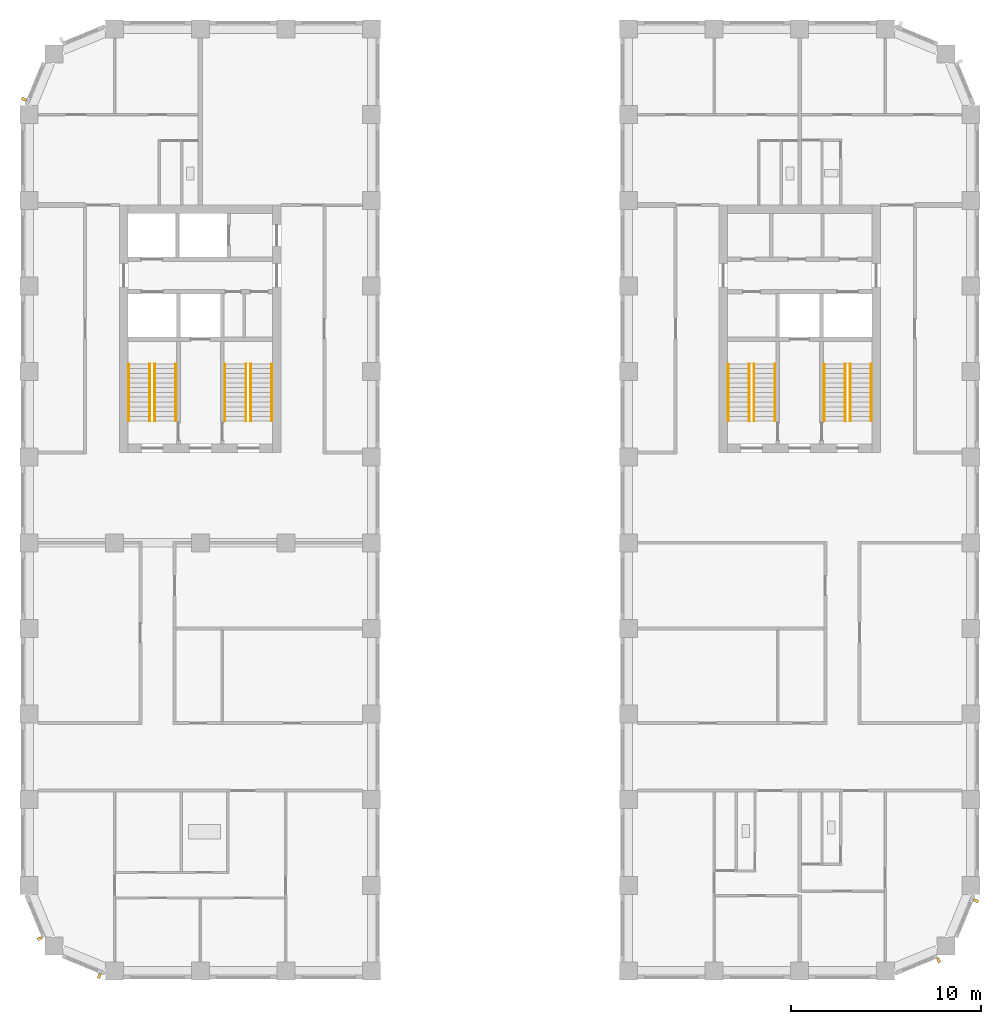
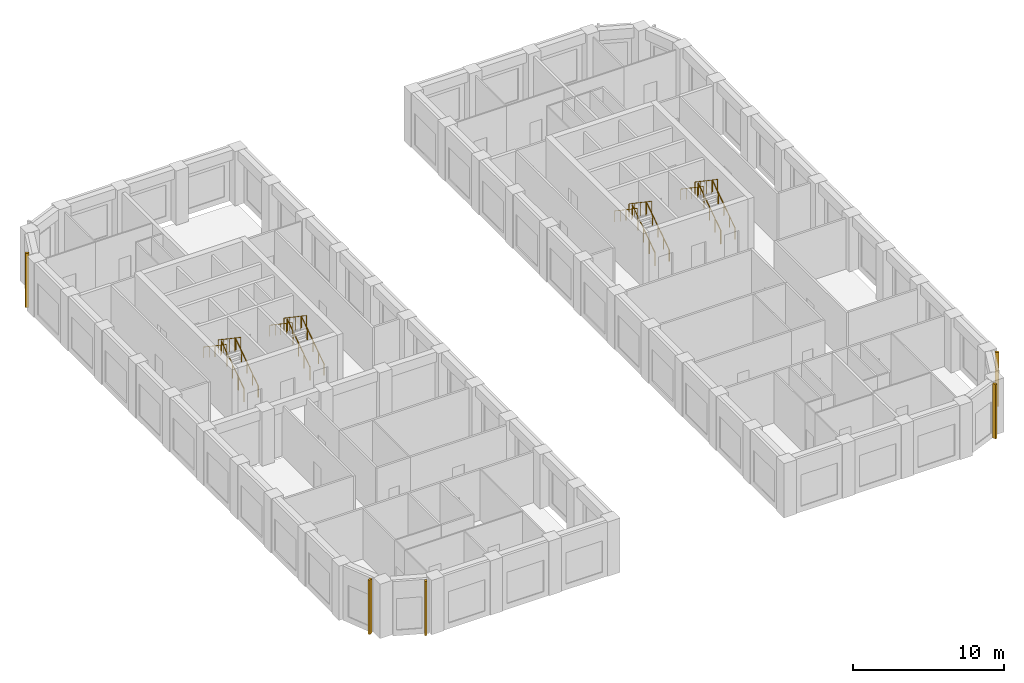
# One storey, part 10 of 12: 16 railings, 5 shading devices.
"""IFC4 building model written with IfcOpenShell, lengths in metres."""

from ifc_helpers import new_model, si_unit, direction, frame, origin, origin_2d, place, context, subcontext, project, spatial, rectangle, circle, extrude, material, type_object, element, save


model = new_model("IFC4")

# Units and contexts
model_context = context("Model", 3, precision=1e-05, world=origin(), true_north=direction((0.0, 1.0)))
body_context = subcontext(model_context, "Body", "Model", "MODEL_VIEW")
ifc_project = project(units=[si_unit("LENGTHUNIT", "METRE"), si_unit("AREAUNIT", "SQUARE_METRE"), si_unit("VOLUMEUNIT", "CUBIC_METRE"), si_unit("PLANEANGLEUNIT", "RADIAN"), si_unit("MASSUNIT", "GRAM", prefix="KILO")], contexts=[model_context])

# Site, building, storey
site_placement = place(None, origin())
site = spatial("IfcSite", under=ifc_project, at=site_placement, CompositionType="ELEMENT")
building_placement = place(site_placement, origin())
building = spatial("IfcBuilding", under=site, at=building_placement, Name="Girih Gate Residences", CompositionType="ELEMENT")
storey_placement = place(building_placement, frame((0.0, 0.0, 155.0)))
storey = spatial("IfcBuildingStorey", under=building, at=storey_placement, Name="L43", CompositionType="ELEMENT", Elevation=155.0)

# Shading devices
ifc_material_1 = material(Name="Precast concrete C50/60", Category="concrete")
shading_device_type = type_object("IfcShadingDeviceType", Name="Corner rib 150x250", PredefinedType="USERDEFINED", material=ifc_material_1)
for number, where, z_axis, x_axis, name in (
    (1, (-0.260498046875, 45.808349609375, 0.0), (0.0, 0.0, 1.0), (-0.382683432365, -0.923879532511, 0.0), "Corner rib NW0013_0482.0"),
    (2, (0.562255859375, 1.705322265625, 0.0), (0.0, 0.0, 1.0), (0.382683432365, -0.923879532511, 0.0), "Corner rib SW0000_0045.0"),
    (3, (3.691650390625, -0.260498046875, 0.0), (0.0, 0.0, 1.0), (0.923879532511, -0.382683432365, 0.0), "Corner rib SW0013_0013.0"),
    (4, (47.794677734375, 0.562255859375, 0.0), (0.0, 0.0, 1.0), (0.923879532511, 0.382683432365, 0.0), "Corner rib SE0450_0000.0"),
    (5, (49.760498046875, 3.691650390625, 0.0), (0.0, 0.0, 1.0), (0.382683432365, 0.923879532511, 0.0), "Corner rib SE0482_0013.0"),
):
    element("IfcShadingDevice", number, at=place(storey_placement, frame(where, z_axis=z_axis, x_axis=x_axis)), inside=storey, type_object=shading_device_type, Name=name, ObjectType="FIN", PredefinedType="USERDEFINED", context=body_context, shape_type="SweptSolid", body=[
        extrude(rectangle(XDim=0.14990234375, YDim=0.25, at=origin_2d()), origin(), (0.0, 0.0, 1.0), 4.39990234375),
    ])

# Railings
ifc_material_2 = material(Name="Stainless steel", Category="steel")
railing_type_1 = type_object("IfcRailingType", Name="Stair guard 1100", PredefinedType="GUARDRAIL", material=ifc_material_2)
railing_1_placement = place(storey_placement, frame((6.60009765625, 28.89990234375, 0.169189453125)))
element("IfcRailing", 6, at=railing_1_placement, inside=storey, type_object=railing_type_1, Name="L43 ST-W1 stair guard 1", PredefinedType="GUARDRAIL", context=body_context, shape_type="SweptSolid", body=[
    extrude(circle(Radius=0.02392578125, at=origin_2d()), frame((0.0, 0.0, 1.076171875), z_axis=(0.0, 0.828110434718, 0.560564989908), x_axis=(-1.0, 0.0, 0.0)), (0.0, 0.0, 1.0), 3.622802734375),
    extrude(circle(Radius=0.02099609375, at=origin_2d()), origin(), (0.0, 0.0, 1.0), 1.052001953125),
    extrude(circle(Radius=0.02099609375, at=origin_2d()), frame((0.0, 0.75, 0.5078125)), (0.0, 0.0, 1.0), 1.052001953125),
    extrude(circle(Radius=0.02099609375, at=origin_2d()), frame((0.0, 1.5, 1.015380859375)), (0.0, 0.0, 1.0), 1.052001953125),
    extrude(circle(Radius=0.02099609375, at=origin_2d()), frame((0.0, 2.25, 1.52294921875)), (0.0, 0.0, 1.0), 1.052001953125),
    extrude(circle(Radius=0.02099609375, at=origin_2d()), frame((0.0, 3.0, 2.03076171875)), (0.0, 0.0, 1.0), 1.052001953125),
])
railing_2_placement = place(storey_placement, frame((6.35009765625, 31.89990234375, 2.369140625)))
element("IfcRailing", 7, at=railing_2_placement, inside=storey, type_object=railing_type_1, Name="L43 ST-W1 stair guard 2", PredefinedType="GUARDRAIL", context=body_context, shape_type="SweptSolid", body=[
    extrude(circle(Radius=0.02392578125, at=origin_2d()), frame((0.0, 0.0, 1.076171875), z_axis=(0.0, -0.828110434718, 0.560564989908), x_axis=(1.0, 0.0, 0.0)), (0.0, 0.0, 1.0), 3.622802734375),
    extrude(circle(Radius=0.02099609375, at=origin_2d()), origin(), (0.0, 0.0, 1.0), 1.052001953125),
    extrude(circle(Radius=0.02099609375, at=origin_2d()), frame((0.0, -0.75, 0.5078125)), (0.0, 0.0, 1.0), 1.052001953125),
    extrude(circle(Radius=0.02099609375, at=origin_2d()), frame((0.0, -1.5, 1.015380859375)), (0.0, 0.0, 1.0), 1.052001953125),
    extrude(circle(Radius=0.02099609375, at=origin_2d()), frame((0.0, -2.25, 1.52294921875)), (0.0, 0.0, 1.0), 1.052001953125),
    extrude(circle(Radius=0.02099609375, at=origin_2d()), frame((0.0, -3.0, 2.03076171875)), (0.0, 0.0, 1.0), 1.052001953125),
])
railing_3_placement = place(storey_placement, frame((11.64990234375, 28.89990234375, 0.169189453125)))
element("IfcRailing", 8, at=railing_3_placement, inside=storey, type_object=railing_type_1, Name="L43 ST-W2 stair guard 1", PredefinedType="GUARDRAIL", context=body_context, shape_type="SweptSolid", body=[
    extrude(circle(Radius=0.02392578125, at=origin_2d()), frame((0.0, 0.0, 1.076171875), z_axis=(0.0, 0.828110434718, 0.560564989908), x_axis=(-1.0, 0.0, 0.0)), (0.0, 0.0, 1.0), 3.622802734375),
    extrude(circle(Radius=0.02099609375, at=origin_2d()), origin(), (0.0, 0.0, 1.0), 1.052001953125),
    extrude(circle(Radius=0.02099609375, at=origin_2d()), frame((0.0, 0.75, 0.5078125)), (0.0, 0.0, 1.0), 1.052001953125),
    extrude(circle(Radius=0.02099609375, at=origin_2d()), frame((0.0, 1.5, 1.015380859375)), (0.0, 0.0, 1.0), 1.052001953125),
    extrude(circle(Radius=0.02099609375, at=origin_2d()), frame((0.0, 2.25, 1.52294921875)), (0.0, 0.0, 1.0), 1.052001953125),
    extrude(circle(Radius=0.02099609375, at=origin_2d()), frame((0.0, 3.0, 2.03076171875)), (0.0, 0.0, 1.0), 1.052001953125),
])
railing_4_placement = place(storey_placement, frame((11.39990234375, 31.89990234375, 2.369140625)))
element("IfcRailing", 9, at=railing_4_placement, inside=storey, type_object=railing_type_1, Name="L43 ST-W2 stair guard 2", PredefinedType="GUARDRAIL", context=body_context, shape_type="SweptSolid", body=[
    extrude(circle(Radius=0.02392578125, at=origin_2d()), frame((0.0, 0.0, 1.076171875), z_axis=(0.0, -0.828110434718, 0.560564989908), x_axis=(1.0, 0.0, 0.0)), (0.0, 0.0, 1.0), 3.622802734375),
    extrude(circle(Radius=0.02099609375, at=origin_2d()), origin(), (0.0, 0.0, 1.0), 1.052001953125),
    extrude(circle(Radius=0.02099609375, at=origin_2d()), frame((0.0, -0.75, 0.5078125)), (0.0, 0.0, 1.0), 1.052001953125),
    extrude(circle(Radius=0.02099609375, at=origin_2d()), frame((0.0, -1.5, 1.015380859375)), (0.0, 0.0, 1.0), 1.052001953125),
    extrude(circle(Radius=0.02099609375, at=origin_2d()), frame((0.0, -2.25, 1.52294921875)), (0.0, 0.0, 1.0), 1.052001953125),
    extrude(circle(Radius=0.02099609375, at=origin_2d()), frame((0.0, -3.0, 2.03076171875)), (0.0, 0.0, 1.0), 1.052001953125),
])
railing_5_placement = place(storey_placement, frame((43.14990234375, 28.89990234375, 0.169189453125)))
element("IfcRailing", 10, at=railing_5_placement, inside=storey, type_object=railing_type_1, Name="L43 ST-E1 stair guard 1", PredefinedType="GUARDRAIL", context=body_context, shape_type="SweptSolid", body=[
    extrude(circle(Radius=0.02392578125, at=origin_2d()), frame((0.0, 0.0, 1.076171875), z_axis=(0.0, 0.828110434718, 0.560564989908), x_axis=(-1.0, 0.0, 0.0)), (0.0, 0.0, 1.0), 3.622802734375),
    extrude(circle(Radius=0.02099609375, at=origin_2d()), origin(), (0.0, 0.0, 1.0), 1.052001953125),
    extrude(circle(Radius=0.02099609375, at=origin_2d()), frame((0.0, 0.75, 0.5078125)), (0.0, 0.0, 1.0), 1.052001953125),
    extrude(circle(Radius=0.02099609375, at=origin_2d()), frame((0.0, 1.5, 1.015380859375)), (0.0, 0.0, 1.0), 1.052001953125),
    extrude(circle(Radius=0.02099609375, at=origin_2d()), frame((0.0, 2.25, 1.52294921875)), (0.0, 0.0, 1.0), 1.052001953125),
    extrude(circle(Radius=0.02099609375, at=origin_2d()), frame((0.0, 3.0, 2.03076171875)), (0.0, 0.0, 1.0), 1.052001953125),
])
railing_6_placement = place(storey_placement, frame((42.89990234375, 31.89990234375, 2.369140625)))
element("IfcRailing", 11, at=railing_6_placement, inside=storey, type_object=railing_type_1, Name="L43 ST-E1 stair guard 2", PredefinedType="GUARDRAIL", context=body_context, shape_type="SweptSolid", body=[
    extrude(circle(Radius=0.02392578125, at=origin_2d()), frame((0.0, 0.0, 1.076171875), z_axis=(0.0, -0.828110434718, 0.560564989908), x_axis=(1.0, 0.0, 0.0)), (0.0, 0.0, 1.0), 3.622802734375),
    extrude(circle(Radius=0.02099609375, at=origin_2d()), origin(), (0.0, 0.0, 1.0), 1.052001953125),
    extrude(circle(Radius=0.02099609375, at=origin_2d()), frame((0.0, -0.75, 0.5078125)), (0.0, 0.0, 1.0), 1.052001953125),
    extrude(circle(Radius=0.02099609375, at=origin_2d()), frame((0.0, -1.5, 1.015380859375)), (0.0, 0.0, 1.0), 1.052001953125),
    extrude(circle(Radius=0.02099609375, at=origin_2d()), frame((0.0, -2.25, 1.52294921875)), (0.0, 0.0, 1.0), 1.052001953125),
    extrude(circle(Radius=0.02099609375, at=origin_2d()), frame((0.0, -3.0, 2.03076171875)), (0.0, 0.0, 1.0), 1.052001953125),
])
railing_7_placement = place(storey_placement, frame((38.10009765625, 28.89990234375, 0.169189453125)))
element("IfcRailing", 12, at=railing_7_placement, inside=storey, type_object=railing_type_1, Name="L43 ST-E2 stair guard 1", PredefinedType="GUARDRAIL", context=body_context, shape_type="SweptSolid", body=[
    extrude(circle(Radius=0.02392578125, at=origin_2d()), frame((0.0, 0.0, 1.076171875), z_axis=(0.0, 0.828110434718, 0.560564989908), x_axis=(-1.0, 0.0, 0.0)), (0.0, 0.0, 1.0), 3.622802734375),
    extrude(circle(Radius=0.02099609375, at=origin_2d()), origin(), (0.0, 0.0, 1.0), 1.052001953125),
    extrude(circle(Radius=0.02099609375, at=origin_2d()), frame((0.0, 0.75, 0.5078125)), (0.0, 0.0, 1.0), 1.052001953125),
    extrude(circle(Radius=0.02099609375, at=origin_2d()), frame((0.0, 1.5, 1.015380859375)), (0.0, 0.0, 1.0), 1.052001953125),
    extrude(circle(Radius=0.02099609375, at=origin_2d()), frame((0.0, 2.25, 1.52294921875)), (0.0, 0.0, 1.0), 1.052001953125),
    extrude(circle(Radius=0.02099609375, at=origin_2d()), frame((0.0, 3.0, 2.03076171875)), (0.0, 0.0, 1.0), 1.052001953125),
])
railing_8_placement = place(storey_placement, frame((37.85009765625, 31.89990234375, 2.369140625)))
element("IfcRailing", 13, at=railing_8_placement, inside=storey, type_object=railing_type_1, Name="L43 ST-E2 stair guard 2", PredefinedType="GUARDRAIL", context=body_context, shape_type="SweptSolid", body=[
    extrude(circle(Radius=0.02392578125, at=origin_2d()), frame((0.0, 0.0, 1.076171875), z_axis=(0.0, -0.828110434718, 0.560564989908), x_axis=(1.0, 0.0, 0.0)), (0.0, 0.0, 1.0), 3.622802734375),
    extrude(circle(Radius=0.02099609375, at=origin_2d()), origin(), (0.0, 0.0, 1.0), 1.052001953125),
    extrude(circle(Radius=0.02099609375, at=origin_2d()), frame((0.0, -0.75, 0.5078125)), (0.0, 0.0, 1.0), 1.052001953125),
    extrude(circle(Radius=0.02099609375, at=origin_2d()), frame((0.0, -1.5, 1.015380859375)), (0.0, 0.0, 1.0), 1.052001953125),
    extrude(circle(Radius=0.02099609375, at=origin_2d()), frame((0.0, -2.25, 1.52294921875)), (0.0, 0.0, 1.0), 1.052001953125),
    extrude(circle(Radius=0.02099609375, at=origin_2d()), frame((0.0, -3.0, 2.03076171875)), (0.0, 0.0, 1.0), 1.052001953125),
])
railing_type_2 = type_object("IfcRailingType", Name="Stair handrail 900", PredefinedType="HANDRAIL", material=ifc_material_2)
railing_9_placement = place(storey_placement, frame((7.699951171875, 28.89990234375, 0.169189453125)))
element("IfcRailing", 14, at=railing_9_placement, inside=storey, type_object=railing_type_2, Name="L43 ST-W1 stair handrail 1", PredefinedType="HANDRAIL", context=body_context, shape_type="SweptSolid", body=[
    extrude(circle(Radius=0.02392578125, at=origin_2d()), frame((0.0, 0.0, 0.8857421875), z_axis=(0.0, 0.828110434718, 0.560564989908), x_axis=(-1.0, 0.0, 0.0)), (0.0, 0.0, 1.0), 3.622802734375),
    extrude(circle(Radius=0.02099609375, at=origin_2d()), origin(), (0.0, 0.0, 1.0), 0.86181640625),
    extrude(circle(Radius=0.02099609375, at=origin_2d()), frame((0.0, 0.75, 0.5078125)), (0.0, 0.0, 1.0), 0.86181640625),
    extrude(circle(Radius=0.02099609375, at=origin_2d()), frame((0.0, 1.5, 1.015380859375)), (0.0, 0.0, 1.0), 0.86181640625),
    extrude(circle(Radius=0.02099609375, at=origin_2d()), frame((0.0, 2.25, 1.52294921875)), (0.0, 0.0, 1.0), 0.86181640625),
    extrude(circle(Radius=0.02099609375, at=origin_2d()), frame((0.0, 3.0, 2.03076171875)), (0.0, 0.0, 1.0), 0.86181640625),
])
railing_10_placement = place(storey_placement, frame((5.25, 31.89990234375, 2.369140625)))
element("IfcRailing", 15, at=railing_10_placement, inside=storey, type_object=railing_type_2, Name="L43 ST-W1 stair handrail 2", PredefinedType="HANDRAIL", context=body_context, shape_type="SweptSolid", body=[
    extrude(circle(Radius=0.02392578125, at=origin_2d()), frame((0.0, 0.0, 0.8857421875), z_axis=(0.0, -0.828110434718, 0.560564989908), x_axis=(1.0, 0.0, 0.0)), (0.0, 0.0, 1.0), 3.622802734375),
    extrude(circle(Radius=0.02099609375, at=origin_2d()), origin(), (0.0, 0.0, 1.0), 0.86181640625),
    extrude(circle(Radius=0.02099609375, at=origin_2d()), frame((0.0, -0.75, 0.5078125)), (0.0, 0.0, 1.0), 0.86181640625),
    extrude(circle(Radius=0.02099609375, at=origin_2d()), frame((0.0, -1.5, 1.015380859375)), (0.0, 0.0, 1.0), 0.86181640625),
    extrude(circle(Radius=0.02099609375, at=origin_2d()), frame((0.0, -2.25, 1.52294921875)), (0.0, 0.0, 1.0), 0.86181640625),
    extrude(circle(Radius=0.02099609375, at=origin_2d()), frame((0.0, -3.0, 2.03076171875)), (0.0, 0.0, 1.0), 0.86181640625),
])
railing_11_placement = place(storey_placement, frame((12.75, 28.89990234375, 0.169189453125)))
element("IfcRailing", 16, at=railing_11_placement, inside=storey, type_object=railing_type_2, Name="L43 ST-W2 stair handrail 1", PredefinedType="HANDRAIL", context=body_context, shape_type="SweptSolid", body=[
    extrude(circle(Radius=0.02392578125, at=origin_2d()), frame((0.0, 0.0, 0.8857421875), z_axis=(0.0, 0.828110434718, 0.560564989908), x_axis=(-1.0, 0.0, 0.0)), (0.0, 0.0, 1.0), 3.622802734375),
    extrude(circle(Radius=0.02099609375, at=origin_2d()), origin(), (0.0, 0.0, 1.0), 0.86181640625),
    extrude(circle(Radius=0.02099609375, at=origin_2d()), frame((0.0, 0.75, 0.5078125)), (0.0, 0.0, 1.0), 0.86181640625),
    extrude(circle(Radius=0.02099609375, at=origin_2d()), frame((0.0, 1.5, 1.015380859375)), (0.0, 0.0, 1.0), 0.86181640625),
    extrude(circle(Radius=0.02099609375, at=origin_2d()), frame((0.0, 2.25, 1.52294921875)), (0.0, 0.0, 1.0), 0.86181640625),
    extrude(circle(Radius=0.02099609375, at=origin_2d()), frame((0.0, 3.0, 2.03076171875)), (0.0, 0.0, 1.0), 0.86181640625),
])
railing_12_placement = place(storey_placement, frame((10.300048828125, 31.89990234375, 2.369140625)))
element("IfcRailing", 17, at=railing_12_placement, inside=storey, type_object=railing_type_2, Name="L43 ST-W2 stair handrail 2", PredefinedType="HANDRAIL", context=body_context, shape_type="SweptSolid", body=[
    extrude(circle(Radius=0.02392578125, at=origin_2d()), frame((0.0, 0.0, 0.8857421875), z_axis=(0.0, -0.828110434718, 0.560564989908), x_axis=(1.0, 0.0, 0.0)), (0.0, 0.0, 1.0), 3.622802734375),
    extrude(circle(Radius=0.02099609375, at=origin_2d()), origin(), (0.0, 0.0, 1.0), 0.86181640625),
    extrude(circle(Radius=0.02099609375, at=origin_2d()), frame((0.0, -0.75, 0.5078125)), (0.0, 0.0, 1.0), 0.86181640625),
    extrude(circle(Radius=0.02099609375, at=origin_2d()), frame((0.0, -1.5, 1.015380859375)), (0.0, 0.0, 1.0), 0.86181640625),
    extrude(circle(Radius=0.02099609375, at=origin_2d()), frame((0.0, -2.25, 1.52294921875)), (0.0, 0.0, 1.0), 0.86181640625),
    extrude(circle(Radius=0.02099609375, at=origin_2d()), frame((0.0, -3.0, 2.03076171875)), (0.0, 0.0, 1.0), 0.86181640625),
])
railing_13_placement = place(storey_placement, frame((44.25, 28.89990234375, 0.169189453125)))
element("IfcRailing", 18, at=railing_13_placement, inside=storey, type_object=railing_type_2, Name="L43 ST-E1 stair handrail 1", PredefinedType="HANDRAIL", context=body_context, shape_type="SweptSolid", body=[
    extrude(circle(Radius=0.02392578125, at=origin_2d()), frame((0.0, 0.0, 0.8857421875), z_axis=(0.0, 0.828110434718, 0.560564989908), x_axis=(-1.0, 0.0, 0.0)), (0.0, 0.0, 1.0), 3.622802734375),
    extrude(circle(Radius=0.02099609375, at=origin_2d()), origin(), (0.0, 0.0, 1.0), 0.86181640625),
    extrude(circle(Radius=0.02099609375, at=origin_2d()), frame((0.0, 0.75, 0.5078125)), (0.0, 0.0, 1.0), 0.86181640625),
    extrude(circle(Radius=0.02099609375, at=origin_2d()), frame((0.0, 1.5, 1.015380859375)), (0.0, 0.0, 1.0), 0.86181640625),
    extrude(circle(Radius=0.02099609375, at=origin_2d()), frame((0.0, 2.25, 1.52294921875)), (0.0, 0.0, 1.0), 0.86181640625),
    extrude(circle(Radius=0.02099609375, at=origin_2d()), frame((0.0, 3.0, 2.03076171875)), (0.0, 0.0, 1.0), 0.86181640625),
])
railing_14_placement = place(storey_placement, frame((41.800048828125, 31.89990234375, 2.369140625)))
element("IfcRailing", 19, at=railing_14_placement, inside=storey, type_object=railing_type_2, Name="L43 ST-E1 stair handrail 2", PredefinedType="HANDRAIL", context=body_context, shape_type="SweptSolid", body=[
    extrude(circle(Radius=0.02392578125, at=origin_2d()), frame((0.0, 0.0, 0.8857421875), z_axis=(0.0, -0.828110434718, 0.560564989908), x_axis=(1.0, 0.0, 0.0)), (0.0, 0.0, 1.0), 3.622802734375),
    extrude(circle(Radius=0.02099609375, at=origin_2d()), origin(), (0.0, 0.0, 1.0), 0.86181640625),
    extrude(circle(Radius=0.02099609375, at=origin_2d()), frame((0.0, -0.75, 0.5078125)), (0.0, 0.0, 1.0), 0.86181640625),
    extrude(circle(Radius=0.02099609375, at=origin_2d()), frame((0.0, -1.5, 1.015380859375)), (0.0, 0.0, 1.0), 0.86181640625),
    extrude(circle(Radius=0.02099609375, at=origin_2d()), frame((0.0, -2.25, 1.52294921875)), (0.0, 0.0, 1.0), 0.86181640625),
    extrude(circle(Radius=0.02099609375, at=origin_2d()), frame((0.0, -3.0, 2.03076171875)), (0.0, 0.0, 1.0), 0.86181640625),
])
railing_15_placement = place(storey_placement, frame((39.199951171875, 28.89990234375, 0.169189453125)))
element("IfcRailing", 20, at=railing_15_placement, inside=storey, type_object=railing_type_2, Name="L43 ST-E2 stair handrail 1", PredefinedType="HANDRAIL", context=body_context, shape_type="SweptSolid", body=[
    extrude(circle(Radius=0.02392578125, at=origin_2d()), frame((0.0, 0.0, 0.8857421875), z_axis=(0.0, 0.828110434718, 0.560564989908), x_axis=(-1.0, 0.0, 0.0)), (0.0, 0.0, 1.0), 3.622802734375),
    extrude(circle(Radius=0.02099609375, at=origin_2d()), origin(), (0.0, 0.0, 1.0), 0.86181640625),
    extrude(circle(Radius=0.02099609375, at=origin_2d()), frame((0.0, 0.75, 0.5078125)), (0.0, 0.0, 1.0), 0.86181640625),
    extrude(circle(Radius=0.02099609375, at=origin_2d()), frame((0.0, 1.5, 1.015380859375)), (0.0, 0.0, 1.0), 0.86181640625),
    extrude(circle(Radius=0.02099609375, at=origin_2d()), frame((0.0, 2.25, 1.52294921875)), (0.0, 0.0, 1.0), 0.86181640625),
    extrude(circle(Radius=0.02099609375, at=origin_2d()), frame((0.0, 3.0, 2.03076171875)), (0.0, 0.0, 1.0), 0.86181640625),
])
railing_16_placement = place(storey_placement, frame((36.75, 31.89990234375, 2.369140625)))
element("IfcRailing", 21, at=railing_16_placement, inside=storey, type_object=railing_type_2, Name="L43 ST-E2 stair handrail 2", PredefinedType="HANDRAIL", context=body_context, shape_type="SweptSolid", body=[
    extrude(circle(Radius=0.02392578125, at=origin_2d()), frame((0.0, 0.0, 0.8857421875), z_axis=(0.0, -0.828110434718, 0.560564989908), x_axis=(1.0, 0.0, 0.0)), (0.0, 0.0, 1.0), 3.622802734375),
    extrude(circle(Radius=0.02099609375, at=origin_2d()), origin(), (0.0, 0.0, 1.0), 0.86181640625),
    extrude(circle(Radius=0.02099609375, at=origin_2d()), frame((0.0, -0.75, 0.5078125)), (0.0, 0.0, 1.0), 0.86181640625),
    extrude(circle(Radius=0.02099609375, at=origin_2d()), frame((0.0, -1.5, 1.015380859375)), (0.0, 0.0, 1.0), 0.86181640625),
    extrude(circle(Radius=0.02099609375, at=origin_2d()), frame((0.0, -2.25, 1.52294921875)), (0.0, 0.0, 1.0), 0.86181640625),
    extrude(circle(Radius=0.02099609375, at=origin_2d()), frame((0.0, -3.0, 2.03076171875)), (0.0, 0.0, 1.0), 0.86181640625),
])

save(model, "model.ifc")
